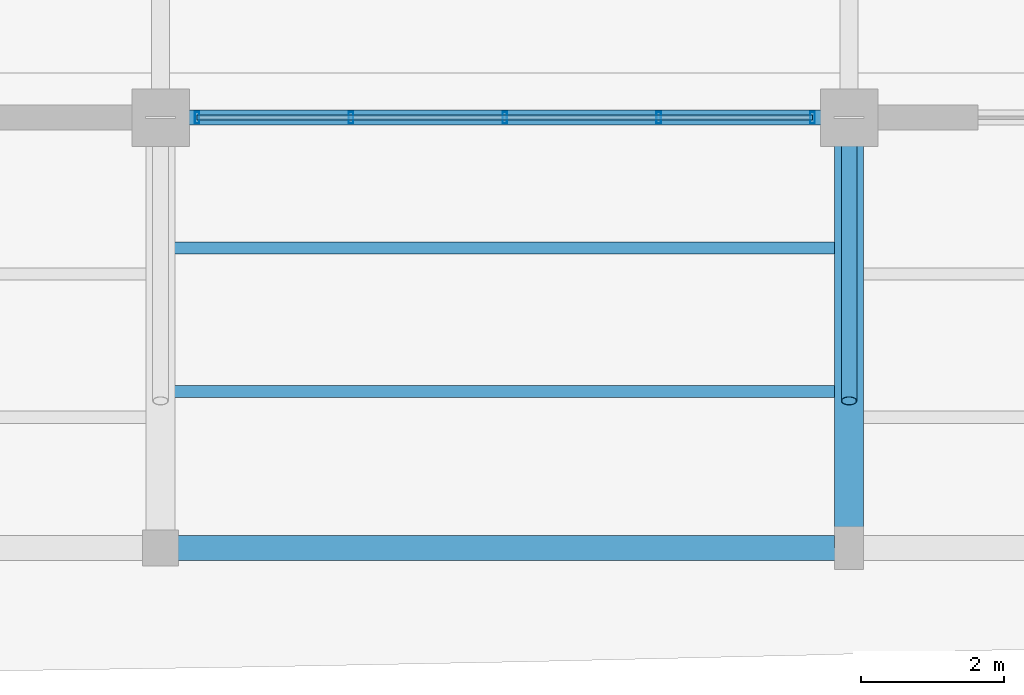
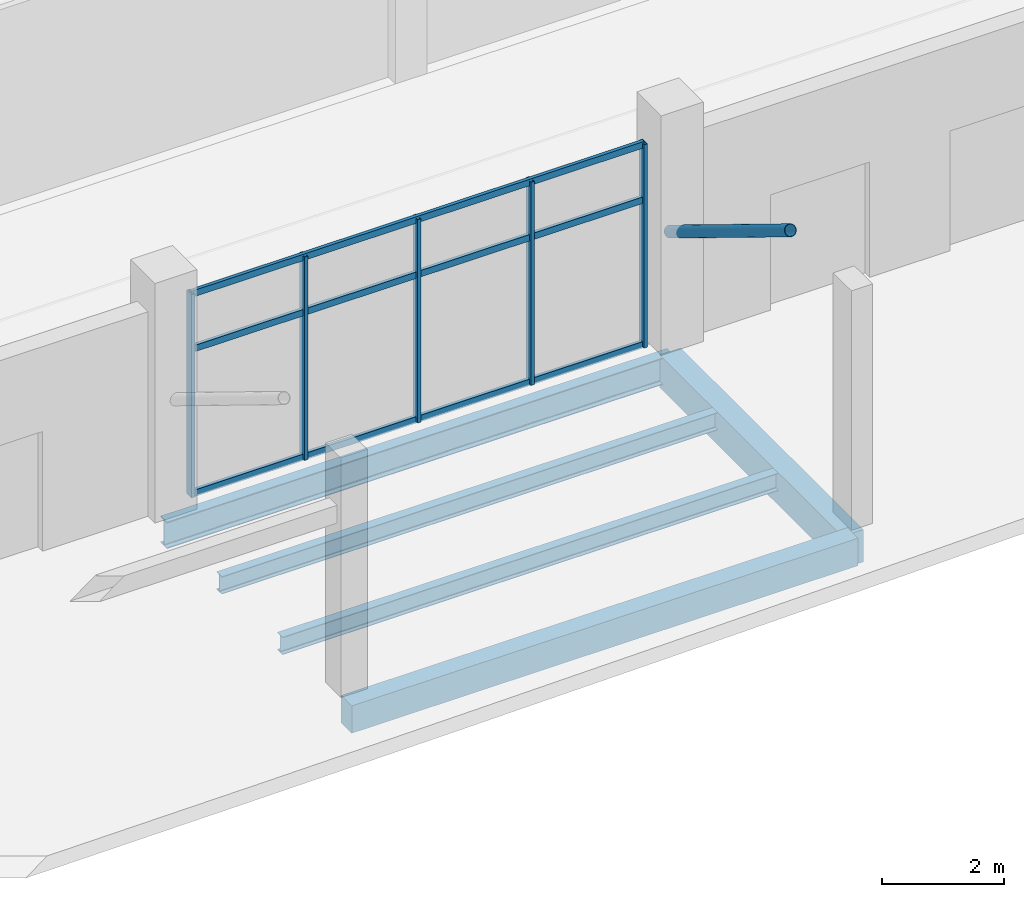
# One storey, part 40 of 116: 9 members, 5 beams, 1 element without a shape of its own.
"""IFC4 building model written with IfcOpenShell, lengths in metres."""

from ifc_helpers import new_model, si_unit, direction, frame, origin, origin_2d, place, context, subcontext, project, spatial, rectangle, hollow_rectangle, hollow_circle, i_section, extrude, material, layer, layer_set, material_profile, profile_set, type_object, element, aggregate, save


model = new_model("IFC4")

# Units and contexts
model_context = context("Model", 3, precision=1e-05, world=origin(), true_north=direction((0.0, 1.0)))
body_context = subcontext(model_context, "Body", "Model", "MODEL_VIEW")
ifc_project = project(units=[si_unit("LENGTHUNIT", "METRE"), si_unit("AREAUNIT", "SQUARE_METRE"), si_unit("VOLUMEUNIT", "CUBIC_METRE"), si_unit("PLANEANGLEUNIT", "RADIAN"), si_unit("MASSUNIT", "GRAM", prefix="KILO")], contexts=[model_context])

# Site, building, storey
site_placement = place(None, origin())
site = spatial("IfcSite", under=ifc_project, at=site_placement, CompositionType="ELEMENT")
building_placement = place(site_placement, origin())
building = spatial("IfcBuilding", under=site, at=building_placement, Name="Chalmorin Arch Market", CompositionType="ELEMENT")
storey_placement = place(building_placement, origin())
storey = spatial("IfcBuildingStorey", under=building, at=storey_placement, Name="L00", CompositionType="ELEMENT", Elevation=0.0)

# Member
ifc_material_1 = material(Name="Steel A500 Grade C", Category="steel")
ifc_material_profile_1 = material_profile(ifc_material_1, hollow_circle(Radius=0.109619140625, WallThickness=0.00830078125, at=origin_2d()), Name="CHS219X8")
ifc_profile_set_1 = profile_set([ifc_material_profile_1], Name="Steel A500 Grade C")
member_type_1 = type_object("IfcMemberType", Name="CanopyRakingStrut-CHS219", PredefinedType="STRUT", material=ifc_profile_set_1)
member_1_placement = place(storey_placement, frame((86.39990234375, 6.0, 2.10009765625), z_axis=(0.0, -0.852698951307, 0.522402621012), x_axis=(1.0, 0.0, 0.0)))
element("IfcMember", 1, at=member_1_placement, inside=storey, type_object=member_type_1, Name="ST-CH219-0010", PredefinedType="STRUT", context=body_context, shape_type="SweptSolid", body=[
    extrude(hollow_circle(Radius=0.109619140625, WallThickness=0.00830078125, at=origin_2d()), origin(), (0.0, 0.0, 1.0), 4.63232421875),
])

# Curtain wall, members
ifc_material_2 = material(Name="Aluminium 6063-T6", Category="aluminium")
ifc_layer = layer(ifc_material_2, 0.159912109375)
ifc_layer_set = layer_set([ifc_layer], Name="Aluminium 6063-T6")
curtain_wall_type = type_object("IfcCurtainWallType", Name="RiverfrontStorefrontCurtainWall-CW2-8580x4080", PredefinedType="NOTDEFINED", material=ifc_layer_set)
curtain_wall_placement = place(storey_placement, origin())
curtain_wall = element("IfcCurtainWall", 2, at=curtain_wall_placement, inside=storey, type_object=curtain_wall_type, Name="CW-02-010", PredefinedType="NOTDEFINED")
ifc_material_profile_2 = material_profile(ifc_material_2, hollow_rectangle(XDim=0.06494140625, YDim=0.159912109375, WallThickness=0.00390625, at=origin_2d()), Name="ALU65X160X4")
ifc_profile_set_2 = profile_set([ifc_material_profile_2], Name="Aluminium 6063-T6")
member_type_2 = type_object("IfcMemberType", Name="CurtainWallMullion-65x160", PredefinedType="MULLION", material=ifc_profile_set_2)
member_2_placement = place(storey_placement, frame((77.31005859375, 6.0, 0.0), z_axis=(0.0, 0.0, 1.0), x_axis=(1.0, 0.0, 0.0)))
member_2 = element("IfcMember", 3, at=member_2_placement, type_object=member_type_2, Name="ML-010-01", PredefinedType="MULLION", context=body_context, shape_type="SweptSolid", body=[
    extrude(hollow_rectangle(XDim=0.06494140625, YDim=0.159912109375, WallThickness=0.00390625, at=origin_2d()), origin(), (0.0, 0.0, 1.0), 4.075927734375),
])
member_3_placement = place(storey_placement, frame((79.455078125, 6.0, 0.0), z_axis=(0.0, 0.0, 1.0), x_axis=(1.0, 0.0, 0.0)))
member_3 = element("IfcMember", 4, at=member_3_placement, type_object=member_type_2, Name="ML-010-02", PredefinedType="MULLION", context=body_context, shape_type="SweptSolid", body=[
    extrude(hollow_rectangle(XDim=0.06494140625, YDim=0.159912109375, WallThickness=0.00390625, at=origin_2d()), origin(), (0.0, 0.0, 1.0), 4.075927734375),
])
member_4_placement = place(storey_placement, frame((81.60009765625, 6.0, 0.0), z_axis=(0.0, 0.0, 1.0), x_axis=(1.0, 0.0, 0.0)))
member_4 = element("IfcMember", 5, at=member_4_placement, type_object=member_type_2, Name="ML-010-03", PredefinedType="MULLION", context=body_context, shape_type="SweptSolid", body=[
    extrude(hollow_rectangle(XDim=0.06494140625, YDim=0.159912109375, WallThickness=0.00390625, at=origin_2d()), origin(), (0.0, 0.0, 1.0), 4.075927734375),
])
member_5_placement = place(storey_placement, frame((83.7451171875, 6.0, 0.0), z_axis=(0.0, 0.0, 1.0), x_axis=(1.0, 0.0, 0.0)))
member_5 = element("IfcMember", 6, at=member_5_placement, type_object=member_type_2, Name="ML-010-04", PredefinedType="MULLION", context=body_context, shape_type="SweptSolid", body=[
    extrude(hollow_rectangle(XDim=0.06494140625, YDim=0.159912109375, WallThickness=0.00390625, at=origin_2d()), origin(), (0.0, 0.0, 1.0), 4.075927734375),
])
member_6_placement = place(storey_placement, frame((85.889892578125, 6.0, 0.0), z_axis=(0.0, 0.0, 1.0), x_axis=(1.0, 0.0, 0.0)))
member_6 = element("IfcMember", 7, at=member_6_placement, type_object=member_type_2, Name="ML-010-05", PredefinedType="MULLION", context=body_context, shape_type="SweptSolid", body=[
    extrude(hollow_rectangle(XDim=0.06494140625, YDim=0.159912109375, WallThickness=0.00390625, at=origin_2d()), origin(), (0.0, 0.0, 1.0), 4.075927734375),
])
ifc_material_profile_3 = material_profile(ifc_material_2, hollow_rectangle(XDim=0.06494140625, YDim=0.1298828125, WallThickness=0.00390625, at=origin_2d()), Name="ALU65X130X4")
ifc_profile_set_3 = profile_set([ifc_material_profile_3], Name="Aluminium 6063-T6")
member_type_3 = type_object("IfcMemberType", Name="CurtainWallTransom-65x130", PredefinedType="USERDEFINED", material=ifc_profile_set_3)
member_7_placement = place(storey_placement, frame((77.31005859375, 6.0, 0.034912109375), z_axis=(1.0, 0.0, 0.0), x_axis=(0.0, 1.0, 0.0)))
member_7 = element("IfcMember", 8, at=member_7_placement, type_object=member_type_3, Name="TR-010-01", ObjectType="TRANSOM", PredefinedType="USERDEFINED", context=body_context, shape_type="SweptSolid", body=[
    extrude(hollow_rectangle(XDim=0.06494140625, YDim=0.1298828125, WallThickness=0.00390625, at=origin_2d()), origin(), (0.0, 0.0, 1.0), 8.579833984375),
])
member_8_placement = place(storey_placement, frame((77.31005859375, 6.0, 2.934814453125), z_axis=(1.0, 0.0, 0.0), x_axis=(0.0, 1.0, 0.0)))
member_8 = element("IfcMember", 9, at=member_8_placement, type_object=member_type_3, Name="TR-010-02", ObjectType="TRANSOM", PredefinedType="USERDEFINED", context=body_context, shape_type="SweptSolid", body=[
    extrude(hollow_rectangle(XDim=0.06494140625, YDim=0.1298828125, WallThickness=0.00390625, at=origin_2d()), origin(), (0.0, 0.0, 1.0), 8.579833984375),
])
member_9_placement = place(storey_placement, frame((77.31005859375, 6.0, 4.041015625), z_axis=(1.0, 0.0, 0.0), x_axis=(0.0, 1.0, 0.0)))
member_9 = element("IfcMember", 10, at=member_9_placement, type_object=member_type_3, Name="TR-010-03", ObjectType="TRANSOM", PredefinedType="USERDEFINED", context=body_context, shape_type="SweptSolid", body=[
    extrude(hollow_rectangle(XDim=0.06494140625, YDim=0.1298828125, WallThickness=0.00390625, at=origin_2d()), origin(), (0.0, 0.0, 1.0), 8.579833984375),
])
aggregate(curtain_wall, [member_2, member_3, member_4, member_5, member_6, member_7, member_8, member_9])

# Beams
ifc_material_3 = material(Name="Concrete C40/50", Category="concrete")
ifc_material_profile_4 = material_profile(ifc_material_3, rectangle(XDim=0.39990234375, YDim=0.64990234375, at=origin_2d()), Name="RC400X650")
ifc_profile_set_4 = profile_set([ifc_material_profile_4], Name="Concrete C40/50")
beam_type_1 = type_object("IfcBeamType", Name="MezzanineConcreteBeam-400x650", PredefinedType="BEAM", material=ifc_profile_set_4)
beam_1_placement = place(storey_placement, frame((86.39990234375, 0.0, -0.626953125), z_axis=(0.0, 1.0, 0.0), x_axis=(-1.0, 0.0, 0.0)))
element("IfcBeam", 11, at=beam_1_placement, inside=storey, type_object=beam_type_1, Name="BM-RC3-0565", PredefinedType="BEAM", context=body_context, shape_type="SweptSolid", body=[
    extrude(rectangle(XDim=0.39990234375, YDim=0.64990234375, at=origin_2d()), origin(), (0.0, 0.0, 1.0), 6.0),
])
ifc_material_4 = material(Name="Steel A992 Grade 50", Category="steel")
ifc_material_profile_5 = material_profile(ifc_material_4, i_section(OverallWidth=0.208984375, OverallDepth=0.532958984375, WebThickness=0.01025390625, FlangeThickness=0.015625, FilletRadius=0.02197265625, at=origin_2d()), Name="W21X62")
ifc_profile_set_5 = profile_set([ifc_material_profile_5], Name="Steel A992 Grade 50")
beam_type_2 = type_object("IfcBeamType", Name="PerimeterSpandrelBeam-W21X62", PredefinedType="SPANDREL", material=ifc_profile_set_5)
beam_2_placement = place(storey_placement, frame((76.800048828125, 6.0, -0.568603515625), z_axis=(1.0, 0.0, 0.0), x_axis=(0.0, 1.0, 0.0)))
element("IfcBeam", 12, at=beam_2_placement, inside=storey, type_object=beam_type_2, Name="SP-W21-0046", PredefinedType="SPANDREL", context=body_context, shape_type="SweptSolid", body=[
    extrude(i_section(OverallWidth=0.208984375, OverallDepth=0.532958984375, WebThickness=0.01025390625, FlangeThickness=0.015625, FilletRadius=0.02197265625, at=origin_2d()), origin(), (0.0, 0.0, 1.0), 9.599853515625),
])
ifc_material_profile_6 = material_profile(ifc_material_4, i_section(OverallWidth=0.1708984375, OverallDepth=0.35107421875, WebThickness=0.0068359375, FlangeThickness=0.009765625, FilletRadius=0.014892578125, at=origin_2d()), Name="W14X30")
ifc_profile_set_6 = profile_set([ifc_material_profile_6], Name="Steel A992 Grade 50")
beam_type_3 = type_object("IfcBeamType", Name="SecondaryFloorJoist-W14X30", PredefinedType="JOIST", material=ifc_profile_set_6)
for number, where, z_axis, x_axis, name in (
    (13, (76.800048828125, 2.179931640625, -0.4775390625), (1.0, 0.0, 0.0), (0.0, 1.0, 0.0), "BJ-W14-0590"),
    (14, (76.800048828125, 4.179931640625, -0.4775390625), (1.0, 0.0, 0.0), (0.0, 1.0, 0.0), "BJ-W14-0591"),
):
    element("IfcBeam", number, at=place(storey_placement, frame(where, z_axis=z_axis, x_axis=x_axis)), inside=storey, type_object=beam_type_3, Name=name, PredefinedType="JOIST", context=body_context, shape_type="SweptSolid", body=[
        extrude(i_section(OverallWidth=0.1708984375, OverallDepth=0.35107421875, WebThickness=0.0068359375, FlangeThickness=0.009765625, FilletRadius=0.014892578125, at=origin_2d()), origin(), (0.0, 0.0, 1.0), 9.599853515625),
    ])
ifc_material_profile_7 = material_profile(ifc_material_3, rectangle(XDim=0.35009765625, YDim=0.550048828125, at=origin_2d()), Name="RC350X550")
ifc_profile_set_7 = profile_set([ifc_material_profile_7], Name="Concrete C40/50")
beam_type_4 = type_object("IfcBeamType", Name="TerraceEdgeBeam-350x550", PredefinedType="SPANDREL", material=ifc_profile_set_7)
beam_3_placement = place(storey_placement, frame((76.800048828125, 0.0, -0.576904296875), z_axis=(1.0, 0.0, 0.0), x_axis=(0.0, 1.0, 0.0)))
element("IfcBeam", 15, at=beam_3_placement, inside=storey, type_object=beam_type_4, Name="SP-RC1-0564", PredefinedType="SPANDREL", context=body_context, shape_type="SweptSolid", body=[
    extrude(rectangle(XDim=0.35009765625, YDim=0.550048828125, at=origin_2d()), origin(), (0.0, 0.0, 1.0), 9.599853515625),
])

save(model, "model.ifc")
